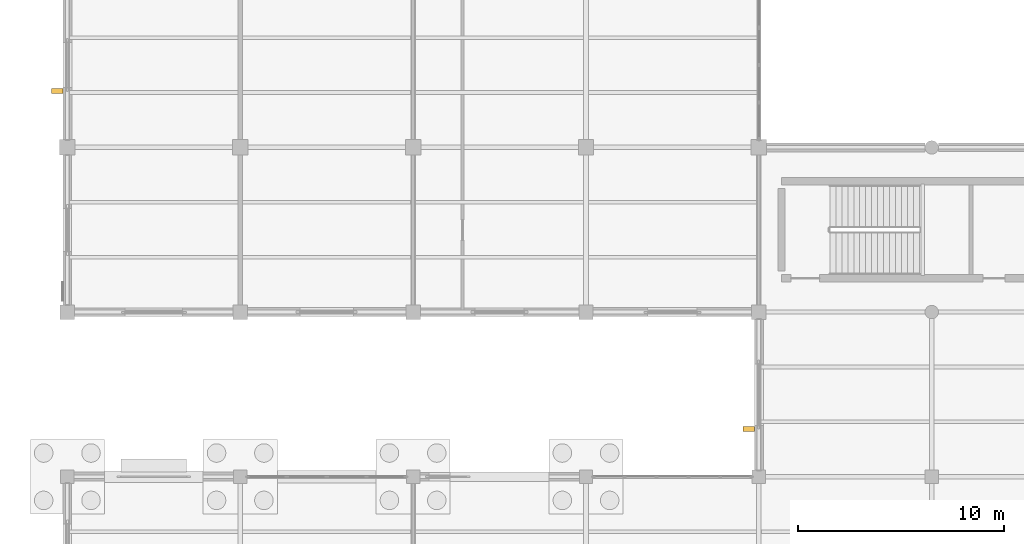
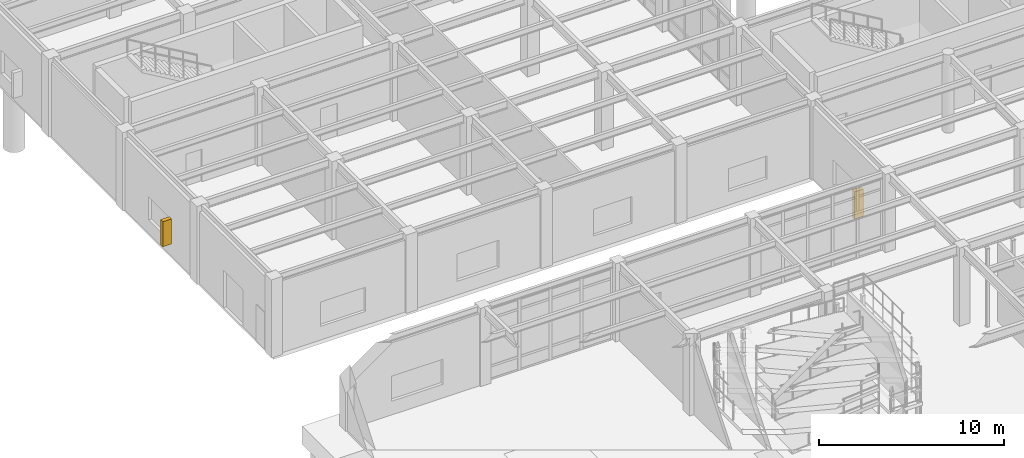
# One storey, part 127 of 138: 2 shading devices.
"""IFC4 building model written with IfcOpenShell, lengths in metres."""

from ifc_helpers import new_model, si_unit, direction, frame, origin, origin_2d, place, context, subcontext, project, spatial, rectangle, extrude, material, type_object, element, save


model = new_model("IFC4")

# Units and contexts
model_context = context("Model", 3, precision=1e-05, world=origin(), true_north=direction((0.0, 1.0)))
body_context = subcontext(model_context, "Body", "Model", "MODEL_VIEW")
ifc_project = project(units=[si_unit("LENGTHUNIT", "METRE"), si_unit("AREAUNIT", "SQUARE_METRE"), si_unit("VOLUMEUNIT", "CUBIC_METRE"), si_unit("PLANEANGLEUNIT", "RADIAN"), si_unit("MASSUNIT", "GRAM", prefix="KILO")], contexts=[model_context])

# Site, building, storey
site_placement = place(None, origin())
site = spatial("IfcSite", under=ifc_project, at=site_placement, CompositionType="ELEMENT")
building_placement = place(site_placement, origin())
building = spatial("IfcBuilding", under=site, at=building_placement, Name="Kranzveld Transit Interchange", CompositionType="ELEMENT")
storey_placement = place(building_placement, origin())
storey = spatial("IfcBuildingStorey", under=building, at=storey_placement, Name="L00", CompositionType="ELEMENT", Elevation=0.0)

# Shading devices
ifc_material = material(Name="Bronze-anodised thermally broken aluminium", Category="aluminium")
shading_device_type = type_object("IfcShadingDeviceType", Name="East-West Deep Clinker Solar Fin", PredefinedType="USERDEFINED", material=ifc_material)
shading_device_1_placement = place(storey_placement, frame((33.10498046875, 42.327392578125, 0.8251953125), z_axis=(0.0, 0.0, 1.0), x_axis=(0.0, 1.0, 0.0)))
element("IfcShadingDevice", 1, at=shading_device_1_placement, inside=storey, type_object=shading_device_type, Name="L00 Vertical Solar Fin 05/F", ObjectType="SOLAR FIN", PredefinedType="USERDEFINED", context=body_context, shape_type="SweptSolid", body=[
    extrude(rectangle(XDim=0.239990234375, YDim=0.550048828125, at=origin_2d()), origin(), (0.0, 0.0, 1.0), 1.800048828125),
])
shading_device_2_placement = place(storey_placement, frame((-0.4951171875, 58.739990234375, 0.824951171875), z_axis=(0.0, 0.0, 1.0), x_axis=(0.0, 1.0, 0.0)))
element("IfcShadingDevice", 2, at=shading_device_2_placement, inside=storey, type_object=shading_device_type, Name="L00 Vertical Solar Fin 01/H", ObjectType="SOLAR FIN", PredefinedType="USERDEFINED", context=body_context, shape_type="SweptSolid", body=[
    extrude(rectangle(XDim=0.239990234375, YDim=0.550048828125, at=origin_2d()), origin(), (0.0, 0.0, 1.0), 1.64990234375),
])

save(model, "model.ifc")
